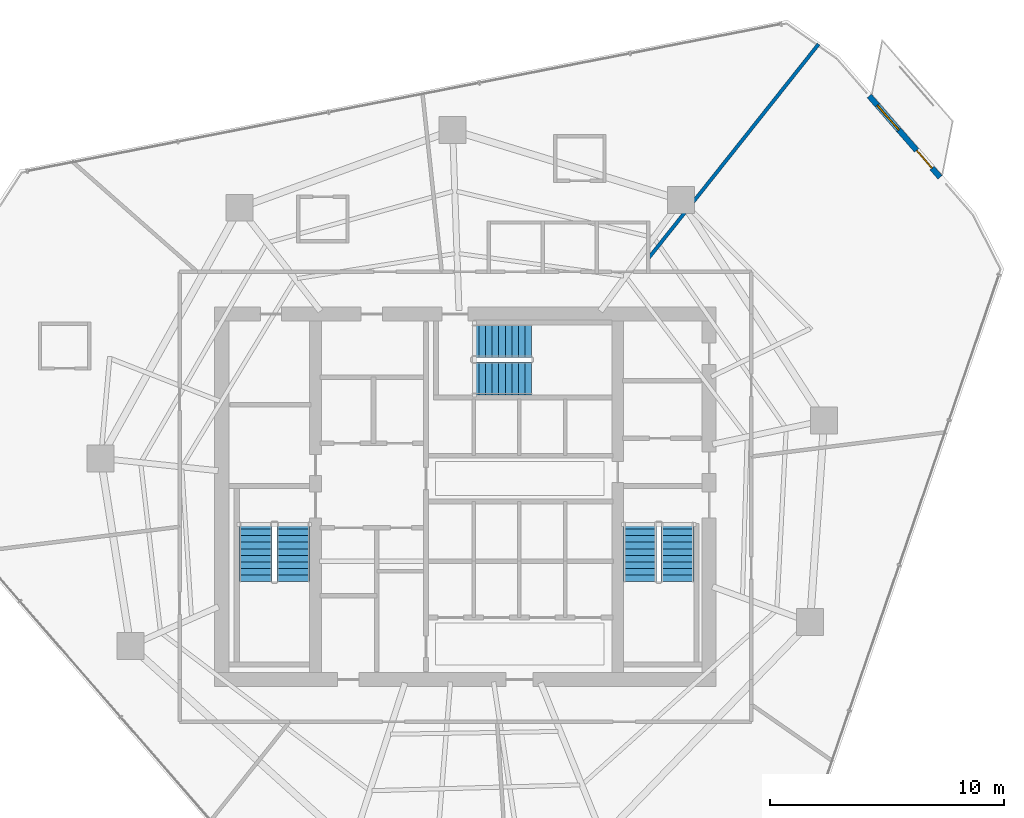
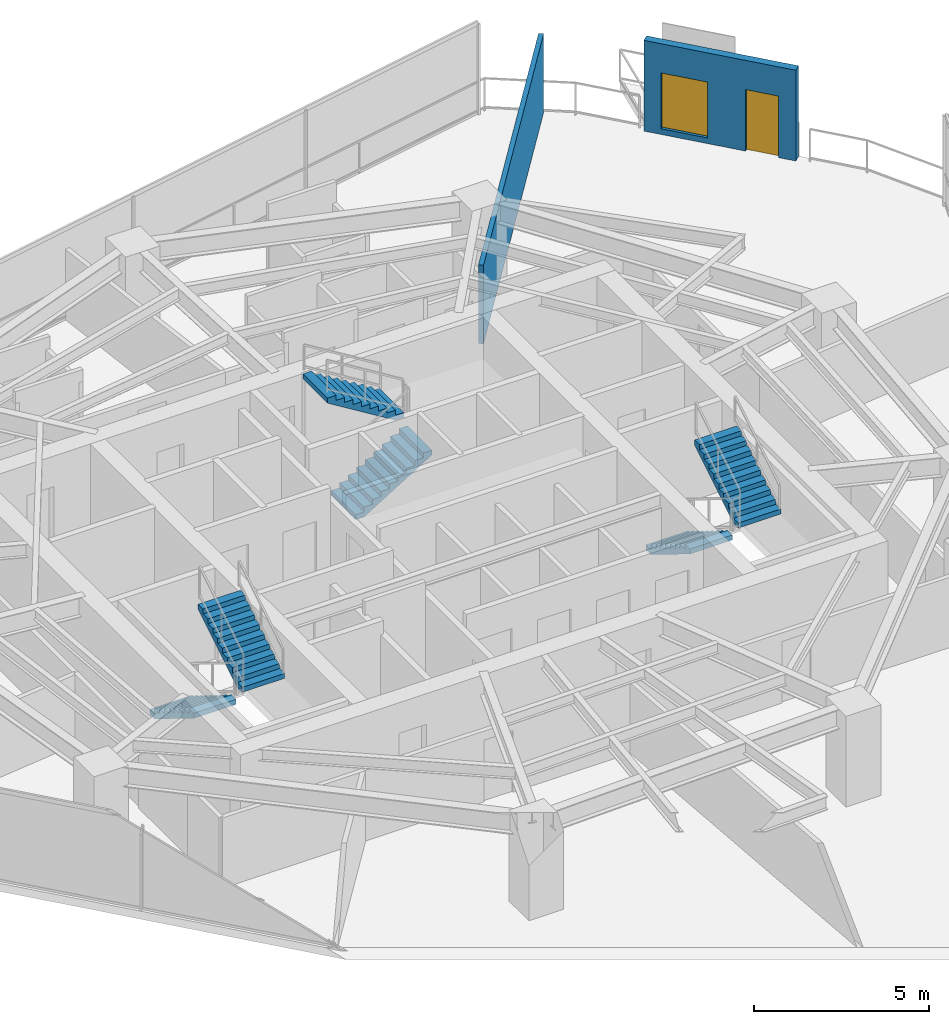
# One storey, part 25 of 27: 6 stair flights, 2 walls, 1 door, 1 window, 2 openings, 3 elements without a shape of their own.
"""IFC4 building model written with IfcOpenShell, lengths in metres."""

from ifc_helpers import new_model, si_unit, direction, frame, frame_2d, origin, place, context, subcontext, project, spatial, polyline, rectangle, outline, extrude, material, layer, layer_set, type_object, element, fill, aggregate, save


model = new_model("IFC4")

# Units and contexts
model_context = context("Model", 3, precision=1e-05, world=origin(), true_north=direction((0.0, 1.0)))
body_context = subcontext(model_context, "Body", "Model", "MODEL_VIEW")
ifc_project = project(units=[si_unit("LENGTHUNIT", "METRE"), si_unit("AREAUNIT", "SQUARE_METRE"), si_unit("VOLUMEUNIT", "CUBIC_METRE"), si_unit("PLANEANGLEUNIT", "RADIAN"), si_unit("MASSUNIT", "GRAM", prefix="KILO")], contexts=[model_context])

# Site, building, storey
site_placement = place(None, origin())
site = spatial("IfcSite", under=ifc_project, at=site_placement, CompositionType="ELEMENT")
building_placement = place(site_placement, origin())
building = spatial("IfcBuilding", under=site, at=building_placement, Name="Qarnah Convention Tower", CompositionType="ELEMENT")
storey_placement = place(building_placement, frame((0.0, 0.0, 107.39990234375)))
storey = spatial("IfcBuildingStorey", under=building, at=storey_placement, Name="L28", CompositionType="ELEMENT", Elevation=107.39990234375)

# Wall, openings, door, window
ifc_material_1 = material(Name="Precast concrete C45/55", Category="concrete")
ifc_layer_1 = layer(ifc_material_1, 0.239990234375)
ifc_layer_set_1 = layer_set([ifc_layer_1], Name="Precast concrete C45/55")
wall_type_1 = type_object("IfcWallType", Name="WL-EXT-BAL-240", PredefinedType="SOLIDWALL", material=ifc_layer_set_1)
wall_1_placement = place(storey_placement, frame((54.431884765625, 43.5009765625, 0.0), z_axis=(0.0, 0.0, 1.0), x_axis=(0.656507142551, -0.754319807363, 0.0)))
wall_1 = element("IfcWall", 1, at=wall_1_placement, inside=storey, type_object=wall_type_1, Name="L28 loggia threshold wall BAL-L28-C1", PredefinedType="SOLIDWALL", context=body_context, shape_type="SweptSolid", body=[
    extrude(rectangle(XDim=4.60009765625, YDim=0.239990234375, at=frame_2d((2.300048828125, 0.0))), origin(), (0.0, 0.0, 1.0), 3.170166015625),
])
opening_1_placement = place(wall_1_placement, frame((3.080078125, 0.0, 0.0)))
opening_1 = element("IfcOpeningElement", 2, at=opening_1_placement, cuts=wall_1, Name="Opening BD-2801", PredefinedType="OPENING", context=body_context, shape_type="SweptSolid", body=[
    extrude(rectangle(XDim=1.0, YDim=2.14990234375, at=frame_2d((0.5, 1.074951171875))), frame((0.0, 0.1298828125, 0.0), z_axis=(0.0, -1.0, 0.0), x_axis=(1.0, 0.0, 0.0)), (0.0, 0.0, 1.0), 0.260009765625),
])
opening_2_placement = place(wall_1_placement, frame((0.52001953125, 0.0, 0.199951171875)))
opening_2 = element("IfcOpeningElement", 3, at=opening_2_placement, cuts=wall_1, Name="Opening WN4", PredefinedType="OPENING", context=body_context, shape_type="SweptSolid", body=[
    extrude(rectangle(XDim=1.39990234375, YDim=1.949951171875, at=frame_2d((0.699951171875, 0.97509765625))), frame((0.0, 0.1298828125, 0.0), z_axis=(0.0, -1.0, 0.0), x_axis=(1.0, 0.0, 0.0)), (0.0, 0.0, 1.0), 0.260009765625),
])
ifc_material_2 = material(Name="Black anodised aluminium", Category="aluminium")
door_type = type_object("IfcDoorType", Name="DT-BAL-1000", OperationType="NOTDEFINED", PredefinedType="DOOR", material=ifc_material_2)
door_placement = place(opening_1_placement, origin())
door = element("IfcDoor", 4, at=door_placement, inside=storey, type_object=door_type, Name="L28 balcony terrace door BAL-L28-C1", OperationType="SINGLE_SWING_LEFT", OverallHeight=2.14990234375, OverallWidth=1.0, PredefinedType="DOOR", context=body_context, shape_type="SweptSolid", body=[
    extrude(rectangle(XDim=1.0, YDim=2.14990234375, at=frame_2d((0.5, 1.074951171875))), frame((0.0, 0.02490234375, 0.0), z_axis=(0.0, -1.0, 0.0), x_axis=(1.0, 0.0, 0.0)), (0.0, 0.0, 1.0), 0.050048828125),
])
fill(opening_1, door)
ifc_material_3 = material(Name="Tempered Low-E dark glass", Category="glass")
window_type = type_object("IfcWindowType", Name="WT-BAL-1400X2000", PartitioningType="SINGLE_PANEL", PredefinedType="WINDOW", material=ifc_material_3)
window_placement = place(opening_2_placement, origin())
window = element("IfcWindow", 5, at=window_placement, inside=storey, type_object=window_type, Name="Window BW-BAL-L28-C1", OverallHeight=1.949951171875, OverallWidth=1.39990234375, PartitioningType="SINGLE_PANEL", PredefinedType="WINDOW", context=body_context, shape_type="SweptSolid", body=[
    extrude(rectangle(XDim=1.39990234375, YDim=1.949951171875, at=frame_2d((0.699951171875, 0.97509765625))), frame((0.0, 0.030029296875, 0.0), z_axis=(0.0, -1.0, 0.0), x_axis=(1.0, 0.0, 0.0)), (0.0, 0.0, 1.0), 0.06005859375),
])
fill(opening_2, window)

# Wall
ifc_material_4 = material(Name="Gypsum partition board")
ifc_layer_2 = layer(ifc_material_4, 0.14990234375)
ifc_layer_set_2 = layer_set([ifc_layer_2], Name="Gypsum partition board")
wall_type_2 = type_object("IfcWallType", Name="WL-SUITE-150", PredefinedType="PARTITIONING", material=ifc_layer_set_2)
wall_2_placement = place(storey_placement, frame((52.26904296875, 45.7109375, 0.0), z_axis=(0.0, 0.0, 1.0), x_axis=(-0.622118042305, -0.782923458225, 0.0)))
element("IfcWall", 6, at=wall_2_placement, inside=storey, type_object=wall_type_2, Name="L28 interior wall IW-L28-R-23", PredefinedType="PARTITIONING", context=body_context, shape_type="SweptSolid", body=[
    extrude(rectangle(XDim=11.684326171875, YDim=0.14990234375, at=frame_2d((5.84228515625, 0.0))), origin(), (0.0, 0.0, 1.0), 2.7470703125),
])

# Stair, stair flights
ifc_material_5 = material(Name="Concrete C50/60", Category="concrete")
stair_type = type_object("IfcStairType", Name="STR-HTL", PredefinedType="HALF_TURN_STAIR", material=ifc_material_5)
stair_1_placement = place(storey_placement, origin())
stair_1 = element("IfcStair", 7, at=stair_1_placement, inside=storey, type_object=stair_type, Name="L28 Core exit stair ST-1", PredefinedType="HALF_TURN_STAIR")
stair_flight_type = type_object("IfcStairFlightType", Name="FLT-HTL", PredefinedType="STRAIGHT", material=ifc_material_5)
stair_flight_1_placement = place(storey_placement, frame((28.25, 25.300048828125, 0.0), z_axis=(0.0, 0.0, 1.0), x_axis=(0.0, -1.0, 0.0)))
stair_flight_1 = element("IfcStairFlight", 8, at=stair_flight_1_placement, type_object=stair_flight_type, Name="ST-1 flight 1", NumberOfRisers=10, NumberOfTreads=9, PredefinedType="STRAIGHT", RiserHeight=0.1725, TreadLength=0.28, context=body_context, shape_type="SweptSolid", body=[
    extrude(outline(polyline([(0.0, 0.0), (0.0, 0.172607421875), (0.280029296875, 0.172607421875), (0.280029296875, 0.344970703125), (0.56005859375, 0.344970703125), (0.56005859375, 0.517578125), (0.840087890625, 0.517578125), (0.840087890625, 0.68994140625), (1.1201171875, 0.68994140625), (1.1201171875, 0.862548828125), (1.39990234375, 0.862548828125), (1.39990234375, 1.034912109375), (1.679931640625, 1.034912109375), (1.679931640625, 1.20751953125), (1.9599609375, 1.20751953125), (1.9599609375, 1.3798828125), (2.239990234375, 1.3798828125), (2.239990234375, 1.552490234375), (2.52001953125, 1.552490234375), (2.52001953125, 1.72509765625), (2.52001953125, 1.37646484375), (0.285888671875, 0.0), (0.0, 0.0)])), frame((0.0, 0.699951171875, 0.0), z_axis=(0.0, -1.0, 0.0), x_axis=(1.0, 0.0, 0.0)), (0.0, 0.0, 1.0), 1.39990234375),
])
stair_flight_2_placement = place(storey_placement, frame((29.85009765625, 22.780029296875, 1.72509765625), z_axis=(0.0, 0.0, 1.0), x_axis=(0.0, 1.0, 0.0)))
stair_flight_2 = element("IfcStairFlight", 9, at=stair_flight_2_placement, type_object=stair_flight_type, Name="ST-1 flight 2", NumberOfRisers=10, NumberOfTreads=9, PredefinedType="STRAIGHT", RiserHeight=0.1725, TreadLength=0.28, context=body_context, shape_type="SweptSolid", body=[
    extrude(outline(polyline([(0.0, 0.0), (0.0, 0.172607421875), (0.280029296875, 0.172607421875), (0.280029296875, 0.344970703125), (0.56005859375, 0.344970703125), (0.56005859375, 0.517578125), (0.840087890625, 0.517578125), (0.840087890625, 0.68994140625), (1.1201171875, 0.68994140625), (1.1201171875, 0.862548828125), (1.39990234375, 0.862548828125), (1.39990234375, 1.034912109375), (1.679931640625, 1.034912109375), (1.679931640625, 1.20751953125), (1.9599609375, 1.20751953125), (1.9599609375, 1.3798828125), (2.239990234375, 1.3798828125), (2.239990234375, 1.552490234375), (2.52001953125, 1.552490234375), (2.52001953125, 1.72509765625), (2.52001953125, 1.37646484375), (0.285888671875, 0.0), (0.0, 0.0)])), frame((0.0, 0.699951171875, 0.0), z_axis=(0.0, -1.0, 0.0), x_axis=(1.0, 0.0, 0.0)), (0.0, 0.0, 1.0), 1.39990234375),
])
aggregate(stair_1, [stair_flight_1, stair_flight_2])

stair_2_placement = place(storey_placement, origin())
stair_2 = element("IfcStair", 10, at=stair_2_placement, inside=storey, type_object=stair_type, Name="L28 Core exit stair ST-2", PredefinedType="HALF_TURN_STAIR")
stair_flight_3_placement = place(storey_placement, frame((44.64990234375, 25.300048828125, 0.0), z_axis=(0.0, 0.0, 1.0), x_axis=(0.0, -1.0, 0.0)))
stair_flight_3 = element("IfcStairFlight", 11, at=stair_flight_3_placement, type_object=stair_flight_type, Name="ST-2 flight 1", NumberOfRisers=10, NumberOfTreads=9, PredefinedType="STRAIGHT", RiserHeight=0.1725, TreadLength=0.28, context=body_context, shape_type="SweptSolid", body=[
    extrude(outline(polyline([(0.0, 0.0), (0.0, 0.172607421875), (0.280029296875, 0.172607421875), (0.280029296875, 0.344970703125), (0.56005859375, 0.344970703125), (0.56005859375, 0.517578125), (0.840087890625, 0.517578125), (0.840087890625, 0.68994140625), (1.1201171875, 0.68994140625), (1.1201171875, 0.862548828125), (1.39990234375, 0.862548828125), (1.39990234375, 1.034912109375), (1.679931640625, 1.034912109375), (1.679931640625, 1.20751953125), (1.9599609375, 1.20751953125), (1.9599609375, 1.3798828125), (2.239990234375, 1.3798828125), (2.239990234375, 1.552490234375), (2.52001953125, 1.552490234375), (2.52001953125, 1.72509765625), (2.52001953125, 1.37646484375), (0.285888671875, 0.0), (0.0, 0.0)])), frame((0.0, 0.699951171875, 0.0), z_axis=(0.0, -1.0, 0.0), x_axis=(1.0, 0.0, 0.0)), (0.0, 0.0, 1.0), 1.39990234375),
])
stair_flight_4_placement = place(storey_placement, frame((46.25, 22.780029296875, 1.72509765625), z_axis=(0.0, 0.0, 1.0), x_axis=(0.0, 1.0, 0.0)))
stair_flight_4 = element("IfcStairFlight", 12, at=stair_flight_4_placement, type_object=stair_flight_type, Name="ST-2 flight 2", NumberOfRisers=10, NumberOfTreads=9, PredefinedType="STRAIGHT", RiserHeight=0.1725, TreadLength=0.28, context=body_context, shape_type="SweptSolid", body=[
    extrude(outline(polyline([(0.0, 0.0), (0.0, 0.172607421875), (0.280029296875, 0.172607421875), (0.280029296875, 0.344970703125), (0.56005859375, 0.344970703125), (0.56005859375, 0.517578125), (0.840087890625, 0.517578125), (0.840087890625, 0.68994140625), (1.1201171875, 0.68994140625), (1.1201171875, 0.862548828125), (1.39990234375, 0.862548828125), (1.39990234375, 1.034912109375), (1.679931640625, 1.034912109375), (1.679931640625, 1.20751953125), (1.9599609375, 1.20751953125), (1.9599609375, 1.3798828125), (2.239990234375, 1.3798828125), (2.239990234375, 1.552490234375), (2.52001953125, 1.552490234375), (2.52001953125, 1.72509765625), (2.52001953125, 1.37646484375), (0.285888671875, 0.0), (0.0, 0.0)])), frame((0.0, 0.699951171875, 0.0), z_axis=(0.0, -1.0, 0.0), x_axis=(1.0, 0.0, 0.0)), (0.0, 0.0, 1.0), 1.39990234375),
])
aggregate(stair_2, [stair_flight_3, stair_flight_4])

stair_3_placement = place(storey_placement, origin())
stair_3 = element("IfcStair", 13, at=stair_3_placement, inside=storey, type_object=stair_type, Name="L28 Core exit stair ST-3", PredefinedType="HALF_TURN_STAIR")
stair_flight_5_placement = place(storey_placement, frame((37.5, 31.449951171875, 0.0), z_axis=(0.0, 0.0, 1.0), x_axis=(1.0, 0.0, 0.0)))
stair_flight_5 = element("IfcStairFlight", 14, at=stair_flight_5_placement, type_object=stair_flight_type, Name="ST-3 flight 1", NumberOfRisers=10, NumberOfTreads=9, PredefinedType="STRAIGHT", RiserHeight=0.1725, TreadLength=0.28, context=body_context, shape_type="SweptSolid", body=[
    extrude(outline(polyline([(0.0, 0.0), (0.0, 0.172607421875), (0.280029296875, 0.172607421875), (0.280029296875, 0.344970703125), (0.56005859375, 0.344970703125), (0.56005859375, 0.517578125), (0.840087890625, 0.517578125), (0.840087890625, 0.68994140625), (1.1201171875, 0.68994140625), (1.1201171875, 0.862548828125), (1.39990234375, 0.862548828125), (1.39990234375, 1.034912109375), (1.679931640625, 1.034912109375), (1.679931640625, 1.20751953125), (1.9599609375, 1.20751953125), (1.9599609375, 1.3798828125), (2.239990234375, 1.3798828125), (2.239990234375, 1.552490234375), (2.52001953125, 1.552490234375), (2.52001953125, 1.72509765625), (2.52001953125, 1.37646484375), (0.285888671875, 0.0), (0.0, 0.0)])), frame((0.0, 0.699951171875, 0.0), z_axis=(0.0, -1.0, 0.0), x_axis=(1.0, 0.0, 0.0)), (0.0, 0.0, 1.0), 1.39990234375),
])
stair_flight_6_placement = place(storey_placement, frame((40.02001953125, 33.050048828125, 1.72509765625), z_axis=(0.0, 0.0, 1.0), x_axis=(-1.0, 0.0, 0.0)))
stair_flight_6 = element("IfcStairFlight", 15, at=stair_flight_6_placement, type_object=stair_flight_type, Name="ST-3 flight 2", NumberOfRisers=10, NumberOfTreads=9, PredefinedType="STRAIGHT", RiserHeight=0.1725, TreadLength=0.28, context=body_context, shape_type="SweptSolid", body=[
    extrude(outline(polyline([(0.0, 0.0), (0.0, 0.172607421875), (0.280029296875, 0.172607421875), (0.280029296875, 0.344970703125), (0.56005859375, 0.344970703125), (0.56005859375, 0.517578125), (0.840087890625, 0.517578125), (0.840087890625, 0.68994140625), (1.1201171875, 0.68994140625), (1.1201171875, 0.862548828125), (1.39990234375, 0.862548828125), (1.39990234375, 1.034912109375), (1.679931640625, 1.034912109375), (1.679931640625, 1.20751953125), (1.9599609375, 1.20751953125), (1.9599609375, 1.3798828125), (2.239990234375, 1.3798828125), (2.239990234375, 1.552490234375), (2.52001953125, 1.552490234375), (2.52001953125, 1.72509765625), (2.52001953125, 1.37646484375), (0.285888671875, 0.0), (0.0, 0.0)])), frame((0.0, 0.699951171875, 0.0), z_axis=(0.0, -1.0, 0.0), x_axis=(1.0, 0.0, 0.0)), (0.0, 0.0, 1.0), 1.39990234375),
])
aggregate(stair_3, [stair_flight_5, stair_flight_6])

save(model, "model.ifc")
